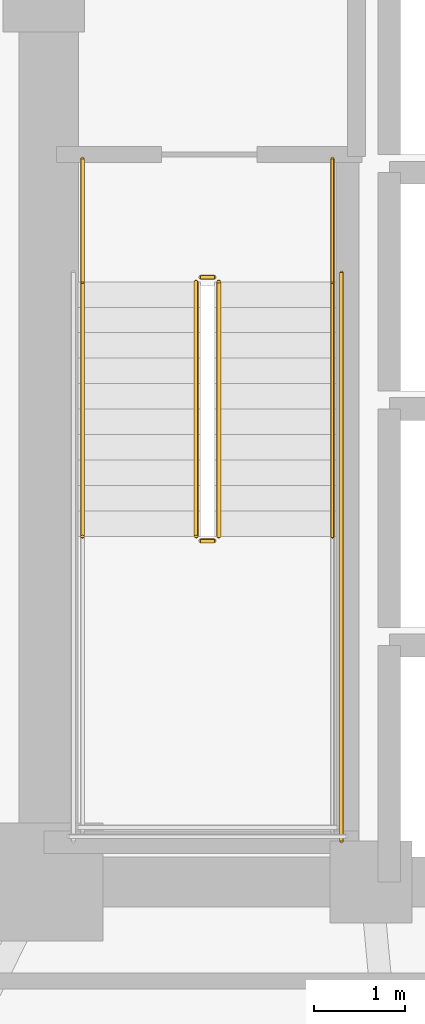
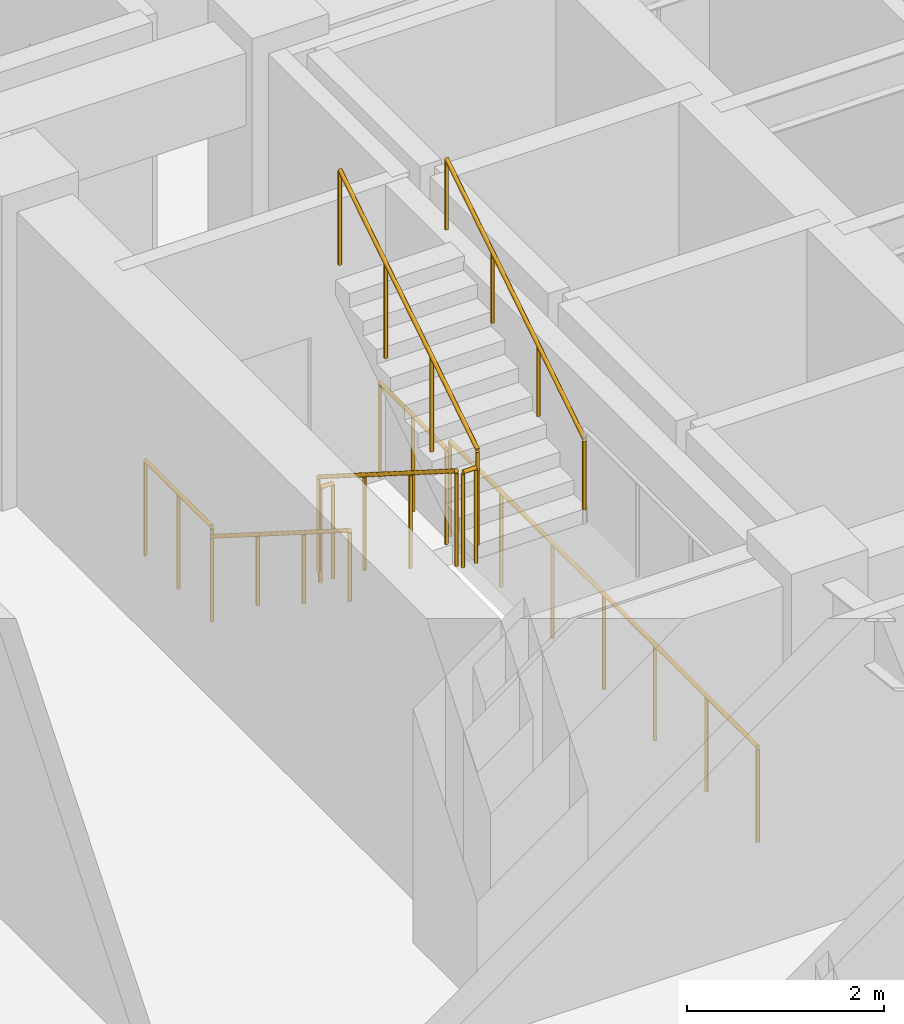
# One storey, part 13 of 16: 9 railings.
"""IFC4 building model written with IfcOpenShell, lengths in metres."""

from ifc_helpers import new_model, si_unit, direction, frame, origin, origin_2d, place, context, subcontext, project, spatial, circle, extrude, material, type_object, element, save


model = new_model("IFC4")

# Units and contexts
model_context = context("Model", 3, precision=1e-05, world=origin(), true_north=direction((0.0, 1.0)))
body_context = subcontext(model_context, "Body", "Model", "MODEL_VIEW")
ifc_project = project(units=[si_unit("LENGTHUNIT", "METRE"), si_unit("AREAUNIT", "SQUARE_METRE"), si_unit("VOLUMEUNIT", "CUBIC_METRE"), si_unit("PLANEANGLEUNIT", "RADIAN"), si_unit("MASSUNIT", "GRAM", prefix="KILO")], contexts=[model_context])

# Site, building, storey
site_placement = place(None, origin())
site = spatial("IfcSite", under=ifc_project, at=site_placement, CompositionType="ELEMENT")
building_placement = place(site_placement, origin())
building = spatial("IfcBuilding", under=site, at=building_placement, Name="Voryun Gate Residences", CompositionType="ELEMENT")
storey_placement = place(building_placement, frame((0.0, 0.0, 113.10009765625)))
storey = spatial("IfcBuildingStorey", under=building, at=storey_placement, Name="L27", CompositionType="ELEMENT", Elevation=113.10009765625)

# Railings
ifc_material_1 = material(Name="Painted steel", Category="steel")
railing_type_1 = type_object("IfcRailingType", Name="RAIL_STAIR_GUARD_1200", PredefinedType="GUARDRAIL", material=ifc_material_1)
railing_1_placement = place(storey_placement, frame((-17.52490234375, -0.800048828125, 0.17724609375)))
element("IfcRailing", 1, at=railing_1_placement, inside=storey, type_object=railing_type_1, Name="L27 ST-W1 stair guard 1", PredefinedType="GUARDRAIL", context=body_context, shape_type="SweptSolid", body=[
    extrude(circle(Radius=0.02392578125, at=origin_2d()), frame((0.0, 0.0, 1.17578125), z_axis=(0.0, -0.844908973607, 0.534910110503), x_axis=(1.0, 0.0, 0.0)), (0.0, 0.0, 1.0), 3.31396484375),
    extrude(circle(Radius=0.02099609375, at=origin_2d()), origin(), (0.0, 0.0, 1.0), 1.15185546875),
    extrude(circle(Radius=0.02099609375, at=origin_2d()), frame((0.0, -0.933349609375, 0.5908203125)), (0.0, 0.0, 1.0), 1.15185546875),
    extrude(circle(Radius=0.02099609375, at=origin_2d()), frame((0.0, -1.86669921875, 1.181884765625)), (0.0, 0.0, 1.0), 1.15185546875),
    extrude(circle(Radius=0.02099609375, at=origin_2d()), frame((0.0, -2.800048828125, 1.772705078125)), (0.0, 0.0, 1.0), 1.15185546875),
])
railing_2_placement = place(storey_placement, frame((-17.47509765625, -3.64990234375, 1.949951171875)))
element("IfcRailing", 2, at=railing_2_placement, inside=storey, type_object=railing_type_1, Name="L27 ST-W1 stair guard 2", PredefinedType="GUARDRAIL", context=body_context, shape_type="SweptSolid", body=[
    extrude(circle(Radius=0.02392578125, at=origin_2d()), frame((0.0, 0.0, 1.17578125), z_axis=(1.0, 0.0, 0.0), x_axis=(0.0, 1.0, 0.0)), (0.0, 0.0, 1.0), 0.150146484375),
    extrude(circle(Radius=0.02099609375, at=origin_2d()), origin(), (0.0, 0.0, 1.0), 1.15185546875),
    extrude(circle(Radius=0.02099609375, at=origin_2d()), frame((0.150146484375, 0.0, 0.0)), (0.0, 0.0, 1.0), 1.15185546875),
])
railing_3_placement = place(storey_placement, frame((-17.27490234375, -3.60009765625, 2.127197265625)))
element("IfcRailing", 3, at=railing_3_placement, inside=storey, type_object=railing_type_1, Name="L27 ST-W1 stair guard 6", PredefinedType="GUARDRAIL", context=body_context, shape_type="SweptSolid", body=[
    extrude(circle(Radius=0.02392578125, at=origin_2d()), frame((0.0, 0.0, 1.17578125), z_axis=(0.0, 0.844908973607, 0.534910110503), x_axis=(-1.0, 0.0, 0.0)), (0.0, 0.0, 1.0), 3.31396484375),
    extrude(circle(Radius=0.02099609375, at=origin_2d()), origin(), (0.0, 0.0, 1.0), 1.15185546875),
    extrude(circle(Radius=0.02099609375, at=origin_2d()), frame((0.0, 0.933349609375, 0.5908203125)), (0.0, 0.0, 1.0), 1.15185546875),
    extrude(circle(Radius=0.02099609375, at=origin_2d()), frame((0.0, 1.86669921875, 1.181884765625)), (0.0, 0.0, 1.0), 1.15185546875),
    extrude(circle(Radius=0.02099609375, at=origin_2d()), frame((0.0, 2.800048828125, 1.772705078125)), (0.0, 0.0, 1.0), 1.15185546875),
])
railing_4_placement = place(storey_placement, frame((-17.47509765625, -0.75, 0.0)))
element("IfcRailing", 4, at=railing_4_placement, inside=storey, type_object=railing_type_1, Name="L27 ST-W1 stair guard 7", PredefinedType="GUARDRAIL", context=body_context, shape_type="SweptSolid", body=[
    extrude(circle(Radius=0.02392578125, at=origin_2d()), frame((0.0, 0.0, 1.17578125), z_axis=(1.0, 0.0, 0.0), x_axis=(0.0, 1.0, 0.0)), (0.0, 0.0, 1.0), 0.150146484375),
    extrude(circle(Radius=0.02099609375, at=origin_2d()), origin(), (0.0, 0.0, 1.0), 1.15185546875),
    extrude(circle(Radius=0.02099609375, at=origin_2d()), frame((0.150146484375, 0.0, 0.0)), (0.0, 0.0, 1.0), 1.15185546875),
])
for number, where, name in (
    (5, (-18.77490234375, 0.550048828125, 0.0), "L27 ST-W1 stair guard 8"),
    (6, (-16.02490234375, 0.550048828125, 0.0), "L27 ST-W1 stair guard 9"),
):
    element("IfcRailing", number, at=place(storey_placement, frame(where)), inside=storey, type_object=railing_type_1, Name=name, PredefinedType="GUARDRAIL", context=body_context, shape_type="SweptSolid", body=[
        extrude(circle(Radius=0.02392578125, at=origin_2d()), frame((0.0, 0.0, 1.17578125), z_axis=(0.0, -1.0, 0.0), x_axis=(1.0, 0.0, 0.0)), (0.0, 0.0, 1.0), 1.35009765625),
        extrude(circle(Radius=0.02099609375, at=origin_2d()), origin(), (0.0, 0.0, 1.0), 1.15185546875),
        extrude(circle(Radius=0.02099609375, at=origin_2d()), frame((0.0, -0.675048828125, 0.0)), (0.0, 0.0, 1.0), 1.15185546875),
        extrude(circle(Radius=0.02099609375, at=origin_2d()), frame((0.0, -1.35009765625, 0.0)), (0.0, 0.0, 1.0), 1.15185546875),
    ])
railing_5_placement = place(storey_placement, frame((-15.925048828125, -0.699951171875, 0.0)))
element("IfcRailing", 7, at=railing_5_placement, inside=storey, type_object=railing_type_1, Name="L27 ST-W1 stair guard 11", PredefinedType="GUARDRAIL", context=body_context, shape_type="SweptSolid", body=[
    extrude(circle(Radius=0.02392578125, at=origin_2d()), frame((0.0, 0.0, 1.17578125), z_axis=(0.0, -1.0, 0.0), x_axis=(1.0, 0.0, 0.0)), (0.0, 0.0, 1.0), 6.25),
    extrude(circle(Radius=0.02099609375, at=origin_2d()), origin(), (0.0, 0.0, 1.0), 1.15185546875),
    extrude(circle(Radius=0.02099609375, at=origin_2d()), frame((0.0, -1.041748046875, 0.0)), (0.0, 0.0, 1.0), 1.15185546875),
    extrude(circle(Radius=0.02099609375, at=origin_2d()), frame((0.0, -2.083251953125, 0.0)), (0.0, 0.0, 1.0), 1.15185546875),
    extrude(circle(Radius=0.02099609375, at=origin_2d()), frame((0.0, -3.125, 0.0)), (0.0, 0.0, 1.0), 1.15185546875),
    extrude(circle(Radius=0.02099609375, at=origin_2d()), frame((0.0, -4.166748046875, 0.0)), (0.0, 0.0, 1.0), 1.15185546875),
    extrude(circle(Radius=0.02099609375, at=origin_2d()), frame((0.0, -5.208251953125, 0.0)), (0.0, 0.0, 1.0), 1.15185546875),
    extrude(circle(Radius=0.02099609375, at=origin_2d()), frame((0.0, -6.25, 0.0)), (0.0, 0.0, 1.0), 1.15185546875),
])
ifc_material_2 = material(Name="Painted steel", Category="steel")
railing_type_2 = type_object("IfcRailingType", Name="RAIL_STAIR_HANDRAIL_900", PredefinedType="HANDRAIL", material=ifc_material_2)
railing_6_placement = place(storey_placement, frame((-18.77490234375, -0.800048828125, 0.17724609375)))
element("IfcRailing", 8, at=railing_6_placement, inside=storey, type_object=railing_type_2, Name="L27 ST-W1 stair handrail 1", PredefinedType="HANDRAIL", context=body_context, shape_type="SweptSolid", body=[
    extrude(circle(Radius=0.02392578125, at=origin_2d()), frame((0.0, 0.0, 0.8759765625), z_axis=(0.0, -0.844908973607, 0.534910110503), x_axis=(1.0, 0.0, 0.0)), (0.0, 0.0, 1.0), 3.31396484375),
    extrude(circle(Radius=0.02099609375, at=origin_2d()), origin(), (0.0, 0.0, 1.0), 0.851806640625),
    extrude(circle(Radius=0.02099609375, at=origin_2d()), frame((0.0, -0.933349609375, 0.5908203125)), (0.0, 0.0, 1.0), 0.851806640625),
    extrude(circle(Radius=0.02099609375, at=origin_2d()), frame((0.0, -1.86669921875, 1.181884765625)), (0.0, 0.0, 1.0), 0.851806640625),
    extrude(circle(Radius=0.02099609375, at=origin_2d()), frame((0.0, -2.800048828125, 1.772705078125)), (0.0, 0.0, 1.0), 0.851806640625),
])
railing_7_placement = place(storey_placement, frame((-16.02490234375, -3.60009765625, 2.127197265625)))
element("IfcRailing", 9, at=railing_7_placement, inside=storey, type_object=railing_type_2, Name="L27 ST-W1 stair handrail 2", PredefinedType="HANDRAIL", context=body_context, shape_type="SweptSolid", body=[
    extrude(circle(Radius=0.02392578125, at=origin_2d()), frame((0.0, 0.0, 0.8759765625), z_axis=(0.0, 0.844908973607, 0.534910110503), x_axis=(-1.0, 0.0, 0.0)), (0.0, 0.0, 1.0), 3.31396484375),
    extrude(circle(Radius=0.02099609375, at=origin_2d()), origin(), (0.0, 0.0, 1.0), 0.851806640625),
    extrude(circle(Radius=0.02099609375, at=origin_2d()), frame((0.0, 0.933349609375, 0.5908203125)), (0.0, 0.0, 1.0), 0.851806640625),
    extrude(circle(Radius=0.02099609375, at=origin_2d()), frame((0.0, 1.86669921875, 1.181884765625)), (0.0, 0.0, 1.0), 0.851806640625),
    extrude(circle(Radius=0.02099609375, at=origin_2d()), frame((0.0, 2.800048828125, 1.772705078125)), (0.0, 0.0, 1.0), 0.851806640625),
])

save(model, "model.ifc")
